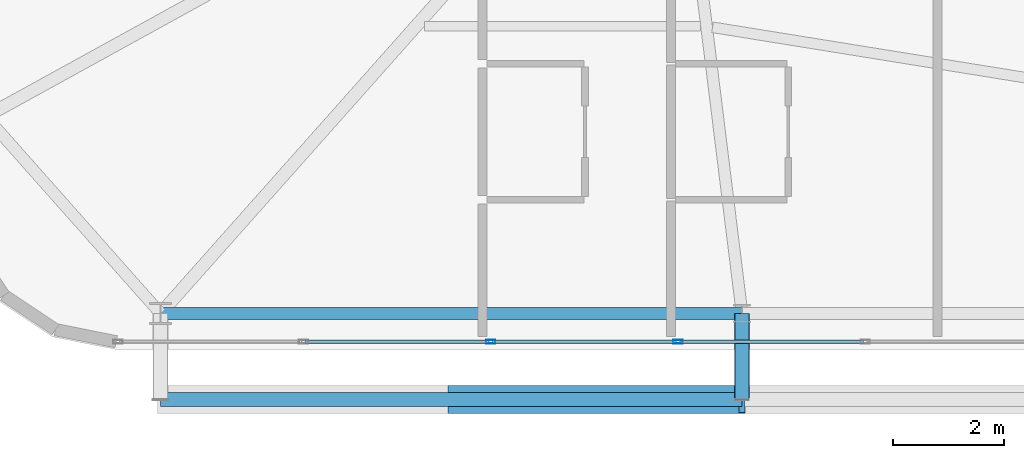
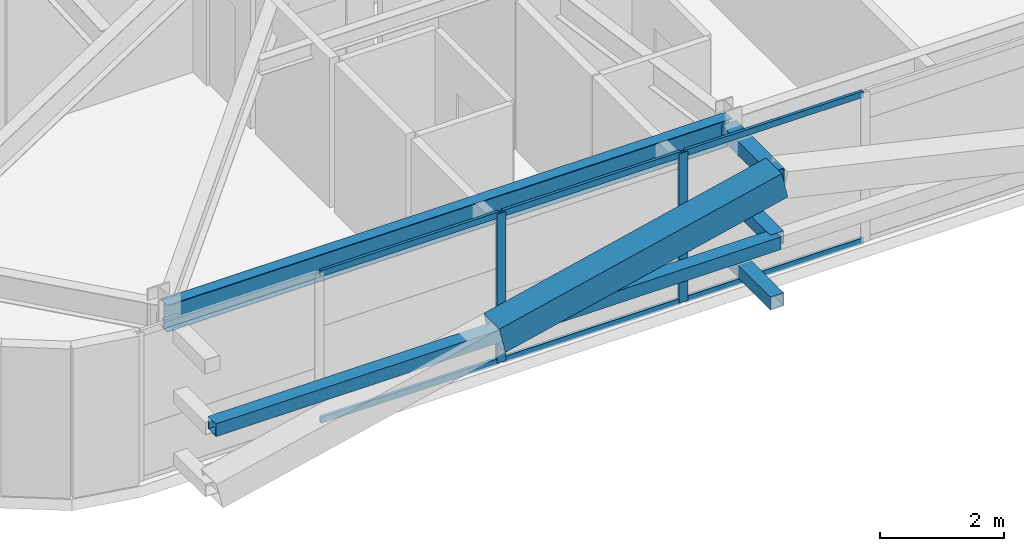
# One storey, part 6 of 59: 13 members, 1 beam, 1 element without a shape of its own.
"""IFC4 building model written with IfcOpenShell, lengths in metres."""

from ifc_helpers import new_model, si_unit, direction, frame, origin, origin_2d, place, context, subcontext, project, spatial, hollow_rectangle, i_section, extrude, source, transform, mapped, material, layer, layer_set, material_profile, profile_set, type_object, element, aggregate, save


model = new_model("IFC4")

# Units and contexts
model_context = context("Model", 3, precision=1e-05, world=origin(), true_north=direction((0.0, 1.0)))
body_context = subcontext(model_context, "Body", "Model", "MODEL_VIEW")
ifc_project = project(units=[si_unit("LENGTHUNIT", "METRE"), si_unit("AREAUNIT", "SQUARE_METRE"), si_unit("VOLUMEUNIT", "CUBIC_METRE"), si_unit("PLANEANGLEUNIT", "RADIAN"), si_unit("MASSUNIT", "GRAM", prefix="KILO")], contexts=[model_context])

# Site, building, storey
site_placement = place(None, origin())
site = spatial("IfcSite", under=ifc_project, at=site_placement, CompositionType="ELEMENT")
building_placement = place(site_placement, origin())
building = spatial("IfcBuilding", under=site, at=building_placement, Name="Taldren Reach Tower", CompositionType="ELEMENT")
storey_placement = place(building_placement, frame((0.0, 0.0, 23.10009765625)))
storey = spatial("IfcBuildingStorey", under=building, at=storey_placement, Name="L06", CompositionType="ELEMENT", Elevation=23.10009765625)

# Beam
ifc_material_1 = material(Name="Steel Gr 350 (350PLUS)", Category="steel")
ifc_material_profile_1 = material_profile(ifc_material_1, i_section(OverallWidth=0.208984375, OverallDepth=0.528076171875, WebThickness=0.009521484375, FlangeThickness=0.01318359375, at=origin_2d()), Name="530UB82.0")
ifc_profile_set_1 = profile_set([ifc_material_profile_1], Name="Steel Gr 350 (350PLUS)")
beam_type = type_object("IfcBeamType", Name="SP-UB530B", PredefinedType="SPANDREL", material=ifc_profile_set_1)
shared_shape_1 = source(origin(), body_context, "Body", "SweptSolid", [
    extrude(i_section(OverallWidth=0.208984375, OverallDepth=0.528076171875, WebThickness=0.009521484375, FlangeThickness=0.01318359375, at=origin_2d()), origin(), (0.0, 0.0, 1.0), 10.47998046875),
])
beam_placement = place(storey_placement, frame((8.800048828125, 2.14990234375, 2.666015625), z_axis=(1.0, 0.0, 0.0), x_axis=(0.0, 1.0, 0.0)))
element("IfcBeam", 1, at=beam_placement, inside=storey, type_object=beam_type, Name="Perimeter spandrel B1 S1-S2 L06", PredefinedType="SPANDREL", context=body_context, shape_type="MappedRepresentation", body=[
    mapped(shared_shape_1, transform((0.0, 0.0, 0.0), scale=1.0)),
])

# Members
ifc_material_2 = material(Name="Steel Gr 450 (C450L0)", Category="steel")
ifc_material_profile_2 = material_profile(ifc_material_2, hollow_rectangle(XDim=0.27490234375, YDim=0.27490234375, WallThickness=0.00927734375, at=origin_2d()), Name="275x275x9.3SHS")
ifc_profile_set_2 = profile_set([ifc_material_profile_2], Name="Steel Gr 450 (C450L0)")
member_type_1 = type_object("IfcMemberType", Name="MB-TIE273", PredefinedType="STRUT", material=ifc_profile_set_2)
shared_shape_2 = source(origin(), body_context, "Body", "SweptSolid", [
    extrude(hollow_rectangle(XDim=0.27490234375, YDim=0.27490234375, WallThickness=0.00927734375, at=origin_2d()), origin(), (0.0, 0.0, 1.0), 1.5498046875),
])
member_1_placement = place(storey_placement, frame((19.280029296875, 2.14990234375, 2.64990234375), z_axis=(0.0, -1.0, 0.0), x_axis=(1.0, 0.0, 0.0)))
element("IfcMember", 2, at=member_1_placement, inside=storey, type_object=member_type_1, Name="Exoskeleton diaphragm tie strut B1-S2 L06", PredefinedType="STRUT", context=body_context, shape_type="MappedRepresentation", body=[
    mapped(shared_shape_2, transform((0.0, 0.0, 0.0), scale=1.0)),
])
ifc_material_profile_3 = material_profile(ifc_material_2, hollow_rectangle(XDim=0.510009765625, YDim=0.510009765625, WallThickness=0.02001953125, at=origin_2d()), Name="510x510x20.0SHS")
ifc_profile_set_3 = profile_set([ifc_material_profile_3], Name="Steel Gr 450 (C450L0)")
member_type_2 = type_object("IfcMemberType", Name="MB-EXO508", PredefinedType="BRACE", material=ifc_profile_set_3)
shared_shape_3 = source(origin(), body_context, "Body", "SweptSolid", [
    extrude(hollow_rectangle(XDim=0.510009765625, YDim=0.510009765625, WallThickness=0.02001953125, at=origin_2d()), origin(), (0.0, 0.0, 1.0), 5.37890625),
])
member_2_placement = place(storey_placement, frame((14.0400390625, 0.60009765625, 1.434814453125), z_axis=(0.97415197996, 0.0, 0.225893603143), x_axis=(0.0, 1.0, 0.0)))
element("IfcMember", 3, at=member_2_placement, inside=storey, type_object=member_type_2, Name="Exoskeleton Diagrid Brace B1-S1 L06", PredefinedType="BRACE", context=body_context, shape_type="MappedRepresentation", body=[
    mapped(shared_shape_3, transform((0.0, 0.0, 0.0), scale=1.0)),
])
ifc_material_3 = material(Name="Steel Gr 350 (C350L0)", Category="steel")
ifc_material_profile_4 = material_profile(ifc_material_3, hollow_rectangle(XDim=0.25, YDim=0.25, WallThickness=0.010009765625, at=origin_2d()), Name="250x250x10.0SHS")
ifc_profile_set_4 = profile_set([ifc_material_profile_4], Name="Steel Gr 350 (C350L0)")
member_type_3 = type_object("IfcMemberType", Name="MB-POST250", PredefinedType="POST", material=ifc_profile_set_4)
shared_shape_4 = source(origin(), body_context, "Body", "SweptSolid", [
    extrude(hollow_rectangle(XDim=0.25, YDim=0.25, WallThickness=0.010009765625, at=origin_2d()), origin(), (0.0, 0.0, 1.0), 10.47998046875),
])
member_3_placement = place(storey_placement, frame((8.800048828125, 0.60009765625, 1.434814453125), z_axis=(1.0, 0.0, 0.0), x_axis=(0.0, 1.0, 0.0)))
element("IfcMember", 4, at=member_3_placement, inside=storey, type_object=member_type_3, Name="Exoskeleton mid-height ring chord B1-S1 L06", PredefinedType="POST", context=body_context, shape_type="MappedRepresentation", body=[
    mapped(shared_shape_4, transform((0.0, 0.0, 0.0), scale=1.0)),
])
shared_shape_5 = source(origin(), body_context, "Body", "SweptSolid", [
    extrude(hollow_rectangle(XDim=0.25, YDim=0.25, WallThickness=0.010009765625, at=origin_2d()), origin(), (0.0, 0.0, 1.0), 1.5498046875),
])
for number, where, z_axis, x_axis, name in (
    (5, (19.280029296875, 2.14990234375, 0.219970703125), (0.0, -1.0, 0.0), (1.0, 0.0, 0.0), "Exoskeleton base diaphragm tie strut B1-S2 L06"),
    (6, (19.280029296875, 2.14990234375, 1.434814453125), (0.0, -1.0, 0.0), (1.0, 0.0, 0.0), "Exoskeleton mid-tier diaphragm tie B1-S2 L06"),
):
    element("IfcMember", number, at=place(storey_placement, frame(where, z_axis=z_axis, x_axis=x_axis)), inside=storey, type_object=member_type_3, Name=name, PredefinedType="POST", context=body_context, shape_type="MappedRepresentation", body=[
        mapped(shared_shape_5, transform((0.0, 0.0, 0.0), scale=1.0)),
    ])

# Curtain wall, members
ifc_material_4 = material(Name="Aluminium and Low-E Glass Unitised System", Category="aluminium")
ifc_layer = layer(ifc_material_4, 0.159912109375)
ifc_layer_set = layer_set([ifc_layer], Name="Aluminium and Low-E Glass Unitised System")
curtain_wall_type = type_object("IfcCurtainWallType", Name="CW-SYS-2", PredefinedType="NOTDEFINED", material=ifc_layer_set)
curtain_wall_placement = place(storey_placement, origin())
curtain_wall = element("IfcCurtainWall", 7, at=curtain_wall_placement, inside=storey, type_object=curtain_wall_type, Name="Unitised curtain wall CW-L06-S", PredefinedType="NOTDEFINED")
ifc_material_5 = material(Name="Anodised Aluminium 6063-T6", Category="aluminium")
ifc_material_profile_5 = material_profile(ifc_material_5, hollow_rectangle(XDim=0.06494140625, YDim=0.1650390625, WallThickness=0.00390625, at=origin_2d()), Name="ALU-165x65x4RHS")
ifc_profile_set_5 = profile_set([ifc_material_profile_5], Name="Anodised Aluminium 6063-T6")
member_type_4 = type_object("IfcMemberType", Name="CW-MUL-165", PredefinedType="MULLION", material=ifc_profile_set_5)
shared_shape_6 = source(origin(), body_context, "Body", "SweptSolid", [
    extrude(hollow_rectangle(XDim=0.06494140625, YDim=0.1650390625, WallThickness=0.00390625, at=origin_2d()), origin(), (0.0, 0.0, 1.0), 2.929931640625),
])
member_4_placement = place(storey_placement, frame((14.75, 1.639892578125, 0.0), z_axis=(0.0, 0.0, 1.0), x_axis=(0.0, 1.0, 0.0)))
member_4 = element("IfcMember", 8, at=member_4_placement, type_object=member_type_4, Name="CW-2 mullion 3", PredefinedType="MULLION", context=body_context, shape_type="MappedRepresentation", body=[
    mapped(shared_shape_6, transform((0.0, 0.0, 0.0), scale=1.0)),
])
member_5_placement = place(storey_placement, frame((18.125, 1.639892578125, 0.0), z_axis=(0.0, 0.0, 1.0), x_axis=(0.0, 1.0, 0.0)))
member_5 = element("IfcMember", 9, at=member_5_placement, type_object=member_type_4, Name="CW-2 mullion 4", PredefinedType="MULLION", context=body_context, shape_type="MappedRepresentation", body=[
    mapped(shared_shape_6, transform((0.0, 0.0, 0.0), scale=1.0)),
])
ifc_material_profile_6 = material_profile(ifc_material_5, hollow_rectangle(XDim=0.054931640625, YDim=0.1201171875, WallThickness=0.0029296875, at=origin_2d()), Name="ALU-120x55x3RHS")
ifc_profile_set_6 = profile_set([ifc_material_profile_6], Name="Anodised Aluminium 6063-T6")
member_type_5 = type_object("IfcMemberType", Name="CW-TRN-135", PredefinedType="USERDEFINED", material=ifc_profile_set_6)
shared_shape_7 = source(origin(), body_context, "Body", "SweptSolid", [
    extrude(hollow_rectangle(XDim=0.054931640625, YDim=0.1201171875, WallThickness=0.0029296875, at=origin_2d()), origin(), (0.0, 0.0, 1.0), 3.31005859375),
])
member_6_placement = place(storey_placement, frame((11.407470703125, 1.639892578125, 0.02734375), z_axis=(1.0, 0.0, 0.0), x_axis=(0.0, 1.0, 0.0)))
member_6 = element("IfcMember", 10, at=member_6_placement, type_object=member_type_5, Name="CW-2 transom 2.1", ObjectType="TRANSOM", PredefinedType="USERDEFINED", context=body_context, shape_type="MappedRepresentation", body=[
    mapped(shared_shape_7, transform((0.0, 0.0, 0.0), scale=1.0)),
])
member_7_placement = place(storey_placement, frame((11.407470703125, 1.639892578125, 2.90234375), z_axis=(1.0, 0.0, 0.0), x_axis=(0.0, 1.0, 0.0)))
member_7 = element("IfcMember", 11, at=member_7_placement, type_object=member_type_5, Name="CW-2 transom 2.2", ObjectType="TRANSOM", PredefinedType="USERDEFINED", context=body_context, shape_type="MappedRepresentation", body=[
    mapped(shared_shape_7, transform((0.0, 0.0, 0.0), scale=1.0)),
])
member_8_placement = place(storey_placement, frame((14.782470703125, 1.639892578125, 0.02734375), z_axis=(1.0, 0.0, 0.0), x_axis=(0.0, 1.0, 0.0)))
member_8 = element("IfcMember", 12, at=member_8_placement, type_object=member_type_5, Name="CW-2 transom 3.1", ObjectType="TRANSOM", PredefinedType="USERDEFINED", context=body_context, shape_type="MappedRepresentation", body=[
    mapped(shared_shape_7, transform((0.0, 0.0, 0.0), scale=1.0)),
])
member_9_placement = place(storey_placement, frame((14.782470703125, 1.639892578125, 2.90234375), z_axis=(1.0, 0.0, 0.0), x_axis=(0.0, 1.0, 0.0)))
member_9 = element("IfcMember", 13, at=member_9_placement, type_object=member_type_5, Name="CW-2 transom 3.2", ObjectType="TRANSOM", PredefinedType="USERDEFINED", context=body_context, shape_type="MappedRepresentation", body=[
    mapped(shared_shape_7, transform((0.0, 0.0, 0.0), scale=1.0)),
])
member_10_placement = place(storey_placement, frame((18.157470703125, 1.639892578125, 0.02734375), z_axis=(1.0, 0.0, 0.0), x_axis=(0.0, 1.0, 0.0)))
member_10 = element("IfcMember", 14, at=member_10_placement, type_object=member_type_5, Name="CW-2 transom 4.1", ObjectType="TRANSOM", PredefinedType="USERDEFINED", context=body_context, shape_type="MappedRepresentation", body=[
    mapped(shared_shape_7, transform((0.0, 0.0, 0.0), scale=1.0)),
])
member_11_placement = place(storey_placement, frame((18.157470703125, 1.639892578125, 2.90234375), z_axis=(1.0, 0.0, 0.0), x_axis=(0.0, 1.0, 0.0)))
member_11 = element("IfcMember", 15, at=member_11_placement, type_object=member_type_5, Name="CW-2 transom 4.2", ObjectType="TRANSOM", PredefinedType="USERDEFINED", context=body_context, shape_type="MappedRepresentation", body=[
    mapped(shared_shape_7, transform((0.0, 0.0, 0.0), scale=1.0)),
])
aggregate(curtain_wall, [member_4, member_5, member_6, member_7, member_8, member_9, member_10, member_11])

save(model, "model.ifc")
